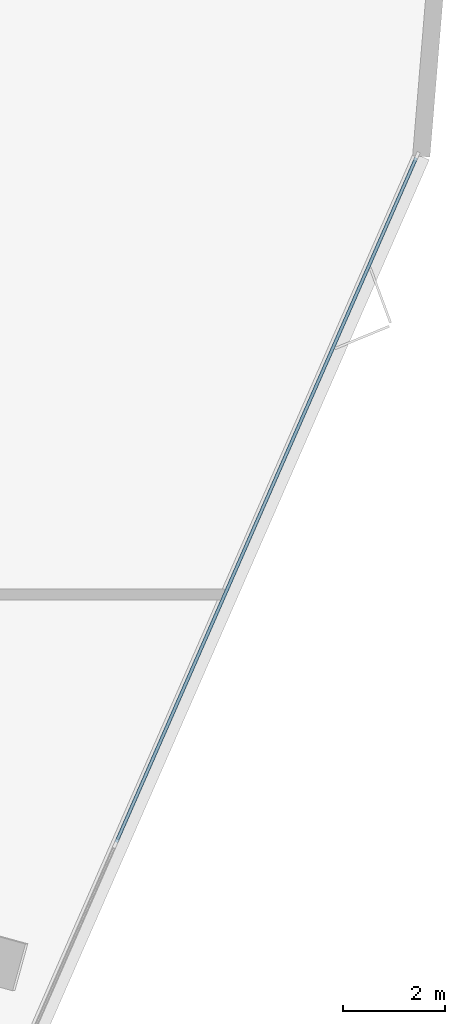
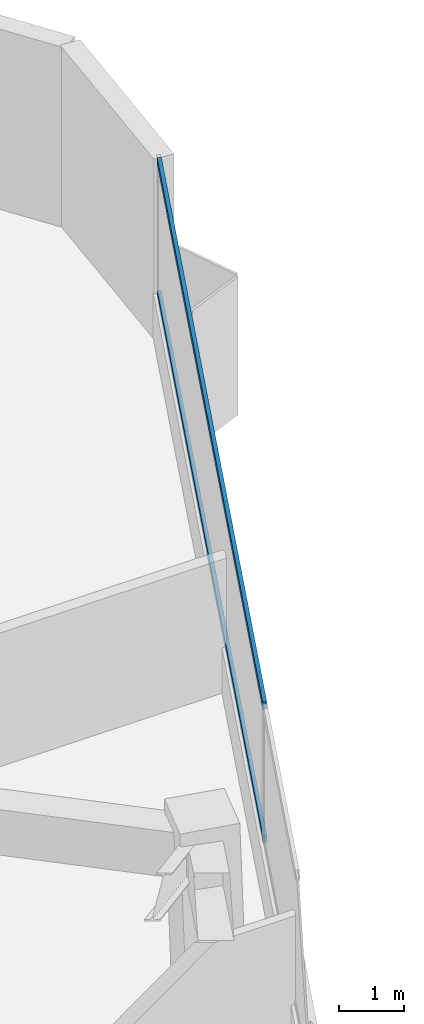
# One storey, part 10 of 20: 2 members, 1 element without a shape of its own.
"""IFC4 building model written with IfcOpenShell, lengths in metres."""

import ifcopenshell
import ifcopenshell.guid

model = None  # the IFC model being written
_history = None  # IfcOwnerHistory: only IFC2X3 demands one
_inside = {}  # id of a spatial element -> (the spatial element, [elements in it])
_under = {}  # id of a project, library or spatial element -> (it, [spatial elements below it])
_declared = {}  # id of a project -> (the project, [libraries it declares])
_typed = {}  # id of a type object -> (the type object, [elements of that type])
_made_of = {}  # id of a material, layer set ... -> (it, [elements and type objects made of it])


def new_model(schema):
    """Start an empty IFC model of exactly this schema.

    Asked for "IFC4X3", IfcOpenShell would pick the latest addendum, in which some entities
    have other attributes; the version numbers below select the first issue.
    IFC2X3 requires an IfcOwnerHistory on every rooted entity: one is made here for all.
    """
    global model, _history
    if schema == "IFC4X3":
        model = ifcopenshell.file(schema_version=(4, 3, 0, 0))
    else:
        model = ifcopenshell.file(schema=schema)
    _inside.clear()
    _under.clear()
    _declared.clear()
    _typed.clear()
    _made_of.clear()
    _history = None
    if model.schema == "IFC2X3":
        org = make("IfcOrganization", Name="unknown")
        user = make(
            "IfcPersonAndOrganization",
            ThePerson=make("IfcPerson", FamilyName="unknown"),
            TheOrganization=org,
        )
        app = make(
            "IfcApplication",
            ApplicationDeveloper=org,
            Version="unknown",
            ApplicationFullName="unknown",
            ApplicationIdentifier="unknown",
        )
        _history = make(
            "IfcOwnerHistory",
            OwningUser=user,
            OwningApplication=app,
            ChangeAction="ADDED",
            CreationDate=0,
        )
    return model


def make(cls, **values):
    """One entity of the class cls with the attributes given. An attribute that is None is left unset."""
    return model.create_entity(
        cls, **{name: value for name, value in values.items() if value is not None}
    )


def rooted(cls, **values):
    """An entity with a GlobalId (a new one), such as an element, a storey or a relation."""
    return make(cls, GlobalId=ifcopenshell.guid.new(), OwnerHistory=_history, **values)


def si_unit(unit_type, name, prefix=None):
    """IfcSIUnit, for example si_unit("LENGTHUNIT", "METRE", prefix="MILLI")."""
    return make("IfcSIUnit", UnitType=unit_type, Prefix=prefix, Name=name)


def assignment(units):
    """IfcUnitAssignment: the units of a project."""
    return None if units is None else make("IfcUnitAssignment", Units=units)


def point(xyz):
    """IfcCartesianPoint."""
    return None if xyz is None else make("IfcCartesianPoint", Coordinates=xyz)


def direction(xyz):
    """IfcDirection."""
    return None if xyz is None else make("IfcDirection", DirectionRatios=xyz)


def frame(location, z_axis=None, x_axis=None):
    """IfcAxis2Placement3D, a coordinate frame: its origin and axes. An axis left out is left unset."""
    return make(
        "IfcAxis2Placement3D",
        Location=point(location),
        Axis=direction(z_axis),
        RefDirection=direction(x_axis),
    )


def frame_2d(location, x_axis=None):
    """IfcAxis2Placement2D, a coordinate frame in the plane: its origin and x axis."""
    return make(
        "IfcAxis2Placement2D", Location=point(location), RefDirection=direction(x_axis)
    )


def origin():
    """The frame at (0, 0, 0) with its axes left unset."""
    return frame((0.0, 0.0, 0.0))


def origin_2d():
    """The frame at (0, 0) in the plane with its x axis left unset."""
    return frame_2d((0.0, 0.0))


def place(relative_to, where):
    """IfcLocalPlacement: puts the frame where relative to a parent placement (None: the world)."""
    return make(
        "IfcLocalPlacement", PlacementRelTo=relative_to, RelativePlacement=where
    )


def context(
    kind, dimensions, precision=None, world=None, true_north=None, identifier=None
):
    """IfcGeometricRepresentationContext, for example the 3D "Model" context."""
    return make(
        "IfcGeometricRepresentationContext",
        ContextIdentifier=identifier,
        ContextType=kind,
        CoordinateSpaceDimension=dimensions,
        Precision=precision,
        WorldCoordinateSystem=world,
        TrueNorth=true_north,
    )


def subcontext(parent, identifier, kind, view, scale=None):
    """IfcGeometricRepresentationSubContext, for example "Body" below "Model"."""
    return make(
        "IfcGeometricRepresentationSubContext",
        ContextIdentifier=identifier,
        ContextType=kind,
        ParentContext=parent,
        TargetScale=scale,
        TargetView=view,
    )


def project(units=None, contexts=None):
    """IfcProject with its units and contexts."""
    return rooted(
        "IfcProject",
        Name="project",
        RepresentationContexts=contexts,
        UnitsInContext=assignment(units),
    )


def spatial(cls, under=None, at=None, **own):
    """A site, building, storey or space (cls), placed at a placement, below another one or the project."""
    s = rooted(cls, ObjectPlacement=at, **own)
    if under is not None:
        _under.setdefault(under.id(), (under, []))[1].append(s)
    return s


def profile(cls, at=None, kind="AREA", **sizes):
    """A parametric profile (cls). Its sizes go by their IFC names, for example OverallWidth=200.0."""
    return make(cls, ProfileType=kind, Position=at, **sizes)


def rectangle(**sizes):
    """IfcRectangleProfileDef."""
    return profile("IfcRectangleProfileDef", **sizes)


def extrude(swept, where, along, depth):
    """IfcExtrudedAreaSolid: the profile swept, set in the frame where, extruded along a direction by depth."""
    return make(
        "IfcExtrudedAreaSolid",
        SweptArea=swept,
        Position=where,
        ExtrudedDirection=direction(along),
        Depth=depth,
    )


def shape(context_of_items, identifier, shape_type, items):
    """IfcShapeRepresentation: the items that make up one representation, for example the "Body"."""
    return make(
        "IfcShapeRepresentation",
        ContextOfItems=context_of_items,
        RepresentationIdentifier=identifier,
        RepresentationType=shape_type,
        Items=items,
    )


def material(Name=None, Category=None):
    """IfcMaterial."""
    return make("IfcMaterial", Name=Name, Category=Category)


def layer(
    of_material, thickness, ventilated=None, Name=None, Category=None, Priority=None
):
    """IfcMaterialLayer: one layer of a wall or slab, of a material (None: an air gap)."""
    return make(
        "IfcMaterialLayer",
        Material=of_material,
        LayerThickness=thickness,
        IsVentilated=ventilated,
        Name=Name,
        Category=Category,
        Priority=Priority,
    )


def layer_set(layers, Name=None):
    """IfcMaterialLayerSet."""
    return make("IfcMaterialLayerSet", MaterialLayers=layers, LayerSetName=Name)


def material_profile(
    of_material, cross_section, Name=None, Category=None, Priority=None
):
    """IfcMaterialProfile: a cross section and its material."""
    return make(
        "IfcMaterialProfile",
        Name=Name,
        Material=of_material,
        Profile=cross_section,
        Priority=Priority,
        Category=Category,
    )


def profile_set(profiles, Name=None, composite=None):
    """IfcMaterialProfileSet."""
    return make(
        "IfcMaterialProfileSet",
        Name=Name,
        MaterialProfiles=profiles,
        CompositeProfile=composite,
    )


def made_of(thing, what):
    """Note that an element or type object is made of a material, layer set ...; save() writes the relation."""
    if what is not None:
        _made_of.setdefault(what.id(), (what, []))[1].append(thing)
    return thing


def type_object(cls, material=None, **own):
    """A type object (cls), such as IfcWallType, which elements share."""
    return made_of(rooted(cls, **own), material)


def element(
    cls,
    number,
    at=None,
    inside=None,
    cuts=None,
    type_object=None,
    material=None,
    context=None,
    identifier="Body",
    shape_type=None,
    held_by="IfcProductDefinitionShape",
    body=None,
    shapes=None,
    **own,
):
    """One element of the class cls, such as IfcWall. Its Tag is "e" and its number.

    at: its placement. inside: the storey or other place that contains it. cuts: it is an
    opening in that element (IfcRelVoidsElement). A single representation is given by context,
    identifier, shape_type and body (its items); several are given by shapes. held_by: the class
    of the entity that holds the representations. save() writes the other relations.
    """
    e = rooted(cls, Tag="e%d" % number, ObjectPlacement=at, **own)
    if body is not None:
        shapes = [shape(context, identifier, shape_type, body)]
    if shapes is not None:
        e.Representation = make(held_by, Representations=shapes)
    if inside is not None:
        _inside.setdefault(inside.id(), (inside, []))[1].append(e)
    if cuts is not None:
        rooted(
            "IfcRelVoidsElement", RelatingBuildingElement=cuts, RelatedOpeningElement=e
        )
    if type_object is not None:
        _typed.setdefault(type_object.id(), (type_object, []))[1].append(e)
    return made_of(e, material)


def aggregate(whole, parts):
    """IfcRelAggregates: a whole, such as a stair, and the parts it consists of."""
    return rooted("IfcRelAggregates", RelatingObject=whole, RelatedObjects=parts)


def save(model, path):
    """Write the relations noted so far, then the file.

    IfcRelAggregates (storeys below a building ...), IfcRelContainedInSpatialStructure (elements
    in a storey), IfcRelDefinesByType, IfcRelAssociatesMaterial and IfcRelDeclares: one each for
    every whole, place, type object, material and project.
    """
    for whole, parts in _under.values():
        aggregate(whole, parts)
    for where, things in _inside.values():
        rooted(
            "IfcRelContainedInSpatialStructure",
            RelatedElements=things,
            RelatingStructure=where,
        )
    for kind, things in _typed.values():
        rooted("IfcRelDefinesByType", RelatedObjects=things, RelatingType=kind)
    for what, things in _made_of.values():
        rooted("IfcRelAssociatesMaterial", RelatedObjects=things, RelatingMaterial=what)
    for by, libraries in _declared.values():
        rooted("IfcRelDeclares", RelatingContext=by, RelatedDefinitions=libraries)
    model.write(path)


model = new_model("IFC4")

# Units and contexts
model_context = context("Model", 3, precision=1e-05, world=origin(), true_north=direction((0.0, 1.0)))
body_context = subcontext(model_context, "Body", "Model", "MODEL_VIEW")
ifc_project = project(units=[si_unit("LENGTHUNIT", "METRE"), si_unit("AREAUNIT", "SQUARE_METRE"), si_unit("VOLUMEUNIT", "CUBIC_METRE"), si_unit("PLANEANGLEUNIT", "RADIAN"), si_unit("MASSUNIT", "GRAM", prefix="KILO")], contexts=[model_context])

# Site, building, storey
site_placement = place(None, origin())
site = spatial("IfcSite", under=ifc_project, at=site_placement, CompositionType="ELEMENT")
building_placement = place(site_placement, origin())
building = spatial("IfcBuilding", under=site, at=building_placement, Name="Talyreon Biosciences Tower", CompositionType="ELEMENT")
storey_placement = place(building_placement, frame((0.0, 0.0, 30.10009765625)))
storey = spatial("IfcBuildingStorey", under=building, at=storey_placement, Name="L07", CompositionType="ELEMENT", Elevation=30.10009765625)

# Curtain wall, members
ifc_material_1 = material(Name="Thermally broken aluminium and low-E glazing", Category="aluminium")
ifc_layer = layer(ifc_material_1, 0.195068359375)
ifc_layer_set = layer_set([ifc_layer], Name="Thermally broken aluminium and low-E glazing")
curtain_wall_type = type_object("IfcCurtainWallType", Name="CurtainWall_Zone1WetLab", PredefinedType="NOTDEFINED", material=ifc_layer_set)
curtain_wall_placement = place(storey_placement, origin())
curtain_wall = element("IfcCurtainWall", 1, at=curtain_wall_placement, inside=storey, type_object=curtain_wall_type, Name="L07 Unitised Curtain Wall FCW-L07-08", PredefinedType="NOTDEFINED")
ifc_material_2 = material(Name="Anodised thermally broken aluminium", Category="aluminium")
ifc_material_profile = material_profile(ifc_material_2, rectangle(XDim=0.06494140625, YDim=0.139892578125, at=origin_2d()), Name="ALUM TRANSOM 65x140")
ifc_profile_set = profile_set([ifc_material_profile], Name="Anodised thermally broken aluminium")
member_type = type_object("IfcMemberType", Name="CWTransom_65x140", PredefinedType="USERDEFINED", material=ifc_profile_set)
member_1_placement = place(storey_placement, frame((100.27490234375, 85.23974609375, 0.84228515625), z_axis=(-0.401337753299, -0.915930132585, 0.0), x_axis=(0.915930132585, -0.401337753299, 0.0)))
member_1 = element("IfcMember", 2, at=member_1_placement, type_object=member_type, Name="CW2 transom 1.1", ObjectType="TRANSOM", PredefinedType="USERDEFINED", context=body_context, shape_type="SweptSolid", body=[
    extrude(rectangle(XDim=0.06494140625, YDim=0.139892578125, at=origin_2d()), origin(), (0.0, 0.0, 1.0), 14.65869140625),
])
member_2_placement = place(storey_placement, frame((100.27490234375, 85.23974609375, 3.34228515625), z_axis=(-0.401337753299, -0.915930132585, 0.0), x_axis=(0.915930132585, -0.401337753299, 0.0)))
member_2 = element("IfcMember", 3, at=member_2_placement, type_object=member_type, Name="CW2 transom 1.2", ObjectType="TRANSOM", PredefinedType="USERDEFINED", context=body_context, shape_type="SweptSolid", body=[
    extrude(rectangle(XDim=0.06494140625, YDim=0.139892578125, at=origin_2d()), origin(), (0.0, 0.0, 1.0), 14.65869140625),
])
aggregate(curtain_wall, [member_1, member_2])

save(model, "model.ifc")
